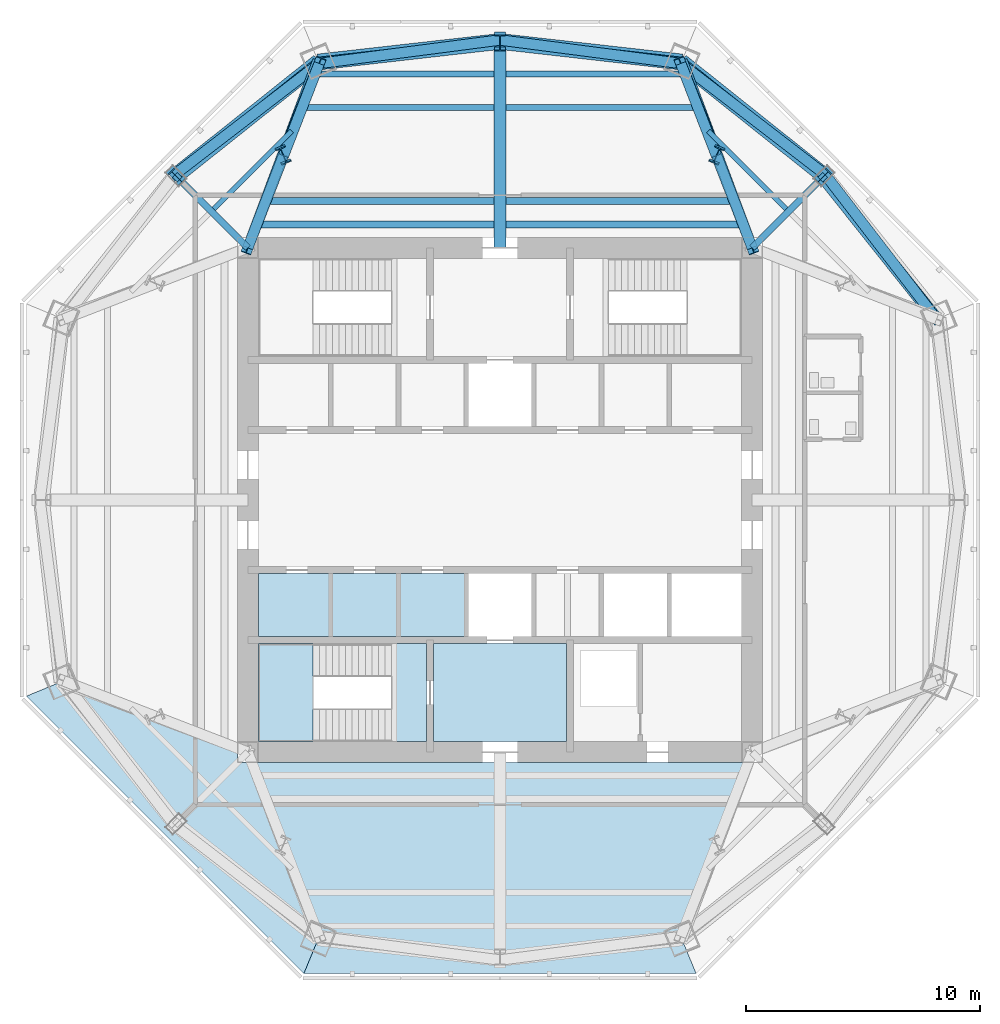
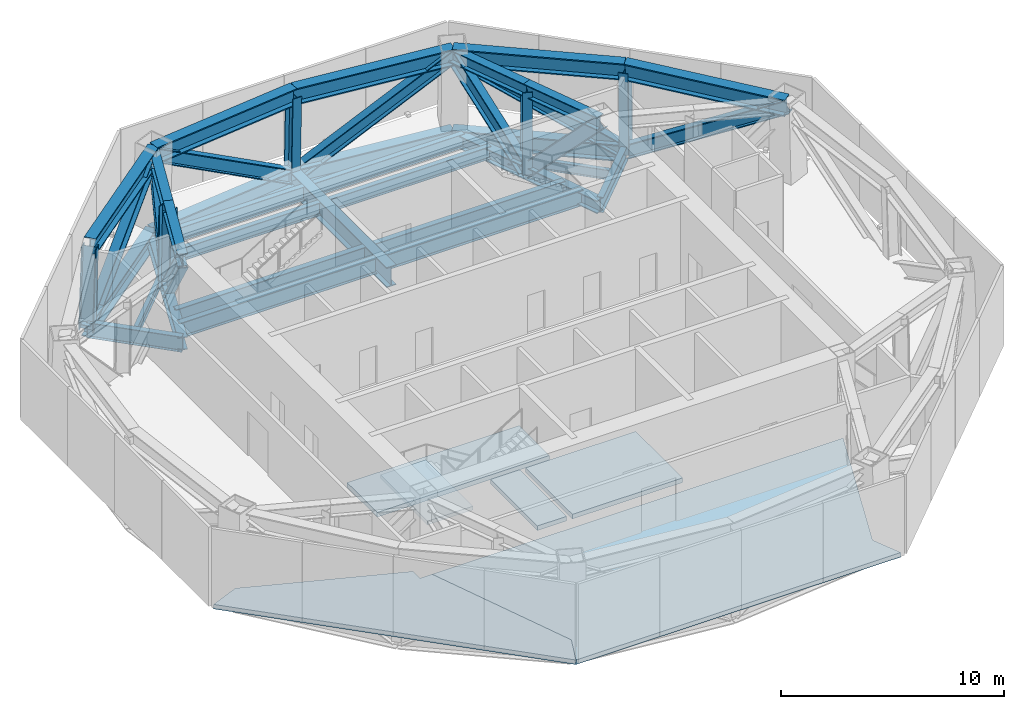
# One storey, part 3 of 9: 31 members, 13 beams, 6 slabs, 1 element without a shape of its own.
"""IFC4 building model written with IfcOpenShell, lengths in metres."""

from ifc_helpers import new_model, si_unit, direction, frame, origin, origin_2d, place, context, subcontext, project, spatial, polyline, i_section, outline, extrude, source, transform, mapped, material, layer, layer_set, material_profile, profile_set, type_object, type_shapes, element, aggregate, save


model = new_model("IFC4")

# Units and contexts
model_context = context("Model", 3, precision=1e-05, world=origin(), true_north=direction((0.0, 1.0)))
body_context = subcontext(model_context, "Body", "Model", "MODEL_VIEW")
ifc_project = project(units=[si_unit("LENGTHUNIT", "METRE"), si_unit("AREAUNIT", "SQUARE_METRE"), si_unit("VOLUMEUNIT", "CUBIC_METRE"), si_unit("PLANEANGLEUNIT", "RADIAN"), si_unit("MASSUNIT", "GRAM", prefix="KILO")], contexts=[model_context])

# Site, building, storey
site_placement = place(None, origin())
site = spatial("IfcSite", under=ifc_project, at=site_placement, CompositionType="ELEMENT")
building_placement = place(site_placement, origin())
building = spatial("IfcBuilding", under=site, at=building_placement, Name="Mashrafa Tower", CompositionType="ELEMENT")
storey_placement = place(building_placement, frame((0.0, 0.0, 266.300048828125)))
storey = spatial("IfcBuildingStorey", under=building, at=storey_placement, Name="L64", CompositionType="ELEMENT", Elevation=266.300048828125)

# Beams
ifc_material_1 = material(Name="Steel ASTM A572 Gr 50", Category="steel")
ifc_material_profile_1 = material_profile(ifc_material_1, i_section(OverallWidth=0.5, OverallDepth=1.10009765625, WebThickness=0.02490234375, FlangeThickness=0.050048828125, at=origin_2d()), Name="H1100X500X25X50")
ifc_profile_set_1 = profile_set([ifc_material_profile_1], Name="Steel ASTM A572 Gr 50")
beam_type_1 = type_object("IfcBeamType", Name="Beam H1100X500X25X50", PredefinedType="BEAM", material=ifc_profile_set_1)
beam_1_placement = place(storey_placement, frame((0.0, 10.800048828125, -0.800048828125), z_axis=(0.0, 1.0, 0.0), x_axis=(-1.0, 0.0, 0.0)))
element("IfcBeam", 1, at=beam_1_placement, inside=storey, type_object=beam_type_1, Name="Radial girder L64 045", PredefinedType="BEAM", context=body_context, shape_type="SweptSolid", body=[
    extrude(i_section(OverallWidth=0.5, OverallDepth=1.10009765625, WebThickness=0.02490234375, FlangeThickness=0.050048828125, at=origin_2d()), origin(), (0.0, 0.0, 1.0), 8.888427734375),
])
ifc_material_2 = material(Name="Steel ASTM A992", Category="steel")
ifc_material_profile_2 = material_profile(ifc_material_2, i_section(OverallWidth=0.209228515625, OverallDepth=0.533447265625, WebThickness=0.01025390625, FlangeThickness=0.015625, FilletRadius=0.012939453125, at=origin_2d()), Name="W21X62")
ifc_profile_set_2 = profile_set([ifc_material_profile_2], Name="Steel ASTM A992")
beam_type_2 = type_object("IfcBeamType", Name="Beam W21X62", PredefinedType="BEAM", material=ifc_profile_set_2)
for number, where, z_axis, x_axis, name in (
    (2, (-12.2578125, 12.46435546875, -0.516845703125), (0.707132658363, 0.707080903063, 0.0), (-0.707080903063, 0.707132658363, 0.0), "Floor beam L64 009"),
    (3, (8.922119140625, 15.7998046875, -0.516845703125), (0.707132658363, -0.707080903063, 0.0), (0.707080903063, 0.707132658363, 0.0), "Floor beam L64 027"),
):
    element("IfcBeam", number, at=place(storey_placement, frame(where, z_axis=z_axis, x_axis=x_axis)), inside=storey, type_object=beam_type_2, Name=name, PredefinedType="BEAM", context=body_context, shape_type="SweptSolid", body=[
        extrude(i_section(OverallWidth=0.209228515625, OverallDepth=0.533447265625, WebThickness=0.01025390625, FlangeThickness=0.015625, FilletRadius=0.012939453125, at=origin_2d()), origin(), (0.0, 0.0, 1.0), 4.71728515625),
    ])
ifc_material_3 = material(Name="Steel ASTM A992", Category="steel")
ifc_material_profile_3 = material_profile(ifc_material_3, i_section(OverallWidth=0.256591796875, OverallDepth=0.693359375, WebThickness=0.014404296875, FlangeThickness=0.023681640625, FilletRadius=0.01513671875, at=origin_2d()), Name="W27X114")
ifc_profile_set_3 = profile_set([ifc_material_profile_3], Name="Steel ASTM A992")
beam_type_3 = type_object("IfcBeamType", Name="Beam W27X114", PredefinedType="BEAM", material=ifc_profile_set_3)
for number, where, z_axis, x_axis, name in (
    (4, (-8.544677734375, 16.804931640625, -0.5966796875), (1.0, 0.0, 0.0), (0.0, 1.0, 0.0), "Floor beam L64 015"),
    (5, (0.25, 16.804931640625, -0.5966796875), (1.0, 0.0, 0.0), (0.0, 1.0, 0.0), "Floor beam L64 023"),
):
    element("IfcBeam", number, at=place(storey_placement, frame(where, z_axis=z_axis, x_axis=x_axis)), inside=storey, type_object=beam_type_3, Name=name, PredefinedType="BEAM", context=body_context, shape_type="SweptSolid", body=[
        extrude(i_section(OverallWidth=0.256591796875, OverallDepth=0.693359375, WebThickness=0.014404296875, FlangeThickness=0.023681640625, FilletRadius=0.01513671875, at=origin_2d()), origin(), (0.0, 0.0, 1.0), 8.294677734375),
    ])
ifc_material_4 = material(Name="Steel ASTM A992", Category="steel")
ifc_material_profile_4 = material_profile(ifc_material_4, i_section(OverallWidth=0.2666015625, OverallDepth=0.75439453125, WebThickness=0.01318359375, FlangeThickness=0.01708984375, FilletRadius=0.0166015625, at=origin_2d()), Name="W30X99")
ifc_profile_set_4 = profile_set([ifc_material_profile_4], Name="Steel ASTM A992")
beam_type_4 = type_object("IfcBeamType", Name="Beam W30X99", PredefinedType="BEAM", material=ifc_profile_set_4)
for number, where, z_axis, x_axis, name in (
    (6, (-8.003173828125, 18.24658203125, -0.627197265625), (1.0, 0.0, 0.0), (0.0, 1.0, 0.0), "Floor beam L64 016"),
    (7, (0.25, 18.24658203125, -0.627197265625), (1.0, 0.0, 0.0), (0.0, 1.0, 0.0), "Floor beam L64 024"),
):
    element("IfcBeam", number, at=place(storey_placement, frame(where, z_axis=z_axis, x_axis=x_axis)), inside=storey, type_object=beam_type_4, Name=name, PredefinedType="BEAM", context=body_context, shape_type="SweptSolid", body=[
        extrude(i_section(OverallWidth=0.2666015625, OverallDepth=0.75439453125, WebThickness=0.01318359375, FlangeThickness=0.01708984375, FilletRadius=0.0166015625, at=origin_2d()), origin(), (0.0, 0.0, 1.0), 7.753173828125),
    ])
ifc_material_5 = material(Name="Steel ASTM A992", Category="steel")
ifc_material_profile_5 = material_profile(ifc_material_5, i_section(OverallWidth=0.2919921875, OverallDepth=0.8408203125, WebThickness=0.0146484375, FlangeThickness=0.021728515625, FilletRadius=0.017333984375, at=origin_2d()), Name="W33X130")
ifc_profile_set_5 = profile_set([ifc_material_profile_5], Name="Steel ASTM A992")
beam_type_5 = type_object("IfcBeamType", Name="Beam W33X130", PredefinedType="BEAM", material=ifc_profile_set_5)
for number, where, z_axis, x_axis, name in (
    (8, (-10.800048828125, 10.800048828125, -0.67041015625), (-0.707106781187, 0.707106781187, 0.0), (-0.707106781187, -0.707106781187, 0.0), "Radial girder L64 043"),
    (9, (10.800048828125, 10.800048828125, -0.67041015625), (0.707106781187, 0.707106781187, 0.0), (-0.707106781187, 0.707106781187, 0.0), "Radial girder L64 048"),
):
    element("IfcBeam", number, at=place(storey_placement, frame(where, z_axis=z_axis, x_axis=x_axis)), inside=storey, type_object=beam_type_5, Name=name, PredefinedType="BEAM", context=body_context, shape_type="SweptSolid", body=[
        extrude(i_section(OverallWidth=0.2919921875, OverallDepth=0.8408203125, WebThickness=0.0146484375, FlangeThickness=0.021728515625, FilletRadius=0.017333984375, at=origin_2d()), origin(), (0.0, 0.0, 1.0), 4.4150390625),
    ])
ifc_material_6 = material(Name="Steel ASTM A992", Category="steel")
ifc_material_profile_6 = material_profile(ifc_material_6, i_section(OverallWidth=0.2919921875, OverallDepth=0.845703125, WebThickness=0.015380859375, FlangeThickness=0.0244140625, FilletRadius=0.017333984375, at=origin_2d()), Name="W33X141")
ifc_profile_set_6 = profile_set([ifc_material_profile_6], Name="Steel ASTM A992")
beam_type_6 = type_object("IfcBeamType", Name="Beam W33X141", PredefinedType="BEAM", material=ifc_profile_set_6)
beam_2_placement = place(storey_placement, frame((-10.423583984375, 11.802490234375, -0.6728515625), z_axis=(1.0, 0.0, 0.0), x_axis=(0.0, 1.0, 0.0)))
element("IfcBeam", 10, at=beam_2_placement, inside=storey, type_object=beam_type_6, Name="Floor beam L64 012", PredefinedType="BEAM", context=body_context, shape_type="SweptSolid", body=[
    extrude(i_section(OverallWidth=0.2919921875, OverallDepth=0.845703125, WebThickness=0.015380859375, FlangeThickness=0.0244140625, FilletRadius=0.017333984375, at=origin_2d()), origin(), (0.0, 0.0, 1.0), 10.173583984375),
])
beam_3_placement = place(storey_placement, frame((-10.047119140625, 12.804931640625, -0.6728515625), z_axis=(1.0, 0.0, 0.0), x_axis=(0.0, 1.0, 0.0)))
element("IfcBeam", 11, at=beam_3_placement, inside=storey, type_object=beam_type_6, Name="Floor beam L64 013", PredefinedType="BEAM", context=body_context, shape_type="SweptSolid", body=[
    extrude(i_section(OverallWidth=0.2919921875, OverallDepth=0.845703125, WebThickness=0.015380859375, FlangeThickness=0.0244140625, FilletRadius=0.017333984375, at=origin_2d()), origin(), (0.0, 0.0, 1.0), 9.797119140625),
])
beam_4_placement = place(storey_placement, frame((0.25, 11.802490234375, -0.6728515625), z_axis=(1.0, 0.0, 0.0), x_axis=(0.0, 1.0, 0.0)))
element("IfcBeam", 12, at=beam_4_placement, inside=storey, type_object=beam_type_6, Name="Floor beam L64 021", PredefinedType="BEAM", context=body_context, shape_type="SweptSolid", body=[
    extrude(i_section(OverallWidth=0.2919921875, OverallDepth=0.845703125, WebThickness=0.015380859375, FlangeThickness=0.0244140625, FilletRadius=0.017333984375, at=origin_2d()), origin(), (0.0, 0.0, 1.0), 10.173583984375),
])
beam_5_placement = place(storey_placement, frame((0.25, 12.804931640625, -0.6728515625), z_axis=(1.0, 0.0, 0.0), x_axis=(0.0, 1.0, 0.0)))
element("IfcBeam", 13, at=beam_5_placement, inside=storey, type_object=beam_type_6, Name="Floor beam L64 022", PredefinedType="BEAM", context=body_context, shape_type="SweptSolid", body=[
    extrude(i_section(OverallWidth=0.2919921875, OverallDepth=0.845703125, WebThickness=0.015380859375, FlangeThickness=0.0244140625, FilletRadius=0.017333984375, at=origin_2d()), origin(), (0.0, 0.0, 1.0), 9.797119140625),
])

# Members
ifc_material_7 = material(Name="Steel ASTM A572 Gr 50", Category="steel")
ifc_material_profile_7 = material_profile(ifc_material_7, i_section(OverallWidth=0.550048828125, OverallDepth=0.89990234375, WebThickness=0.034912109375, FlangeThickness=0.06005859375, at=origin_2d()), Name="H900X550X35X60")
ifc_profile_set_7 = profile_set([ifc_material_profile_7], Name="Steel ASTM A572 Gr 50")
member_type_1 = type_object("IfcMemberType", Name="Belt truss chord H900X550X35X60", PredefinedType="CHORD", material=ifc_profile_set_7)
shared_shape_1 = source(origin(), body_context, "Body", "SweptSolid", [
    extrude(i_section(OverallWidth=0.550048828125, OverallDepth=0.89990234375, WebThickness=0.034912109375, FlangeThickness=0.06005859375, at=origin_2d()), origin(), (0.0, 0.0, 1.0), 7.84619140625),
])
for number, where, z_axis, x_axis, name in (
    (14, (7.796875, 18.822998046875, -0.699951171875), (-0.993716789275, 0.111923825495, 0.0), (-0.111923825495, -0.993716789275, 0.0), "Belt truss bottom chord north face L64 right"),
    (15, (-7.796875, 18.822998046875, -0.699951171875), (0.993716789275, 0.111923825495, 0.0), (-0.111923825495, 0.993716789275, 0.0), "Belt truss bottom chord north face L64 left"),
):
    element("IfcMember", number, at=place(storey_placement, frame(where, z_axis=z_axis, x_axis=x_axis)), inside=storey, type_object=member_type_1, Name=name, PredefinedType="CHORD", context=body_context, shape_type="MappedRepresentation", body=[
        mapped(shared_shape_1, transform((0.0, 0.0, 0.0))),
    ])
shared_shape_2 = source(origin(), body_context, "Body", "SweptSolid", [
    extrude(i_section(OverallWidth=0.550048828125, OverallDepth=0.89990234375, WebThickness=0.034912109375, FlangeThickness=0.06005859375, at=origin_2d()), origin(), (0.0, 0.0, 1.0), 7.79296875),
])
for number, where, z_axis, x_axis, name in (
    (16, (7.743408203125, 18.6943359375, 3.849853515625), (-0.993630551017, 0.11268685853, 0.0), (-0.11268685853, -0.993630551017, 0.0), "Belt truss top chord north face L64 right"),
    (17, (-7.743408203125, 18.6943359375, 3.849853515625), (0.993630551017, 0.11268685853, 0.0), (-0.11268685853, 0.993630551017, 0.0), "Belt truss top chord north face L64 left"),
):
    element("IfcMember", number, at=place(storey_placement, frame(where, z_axis=z_axis, x_axis=x_axis)), inside=storey, type_object=member_type_1, Name=name, PredefinedType="CHORD", context=body_context, shape_type="MappedRepresentation", body=[
        mapped(shared_shape_2, transform((0.0, 0.0, 0.0))),
    ])
ifc_material_8 = material(Name="Steel ASTM A572 Gr 50", Category="steel")
ifc_material_profile_8 = material_profile(ifc_material_8, i_section(OverallWidth=0.449951171875, OverallDepth=0.699951171875, WebThickness=0.028076171875, FlangeThickness=0.044921875, at=origin_2d()), Name="H700X450X28X45")
ifc_profile_set_8 = profile_set([ifc_material_profile_8], Name="Steel ASTM A572 Gr 50")
member_type_2 = type_object("IfcMemberType", Name="Belt truss post H700X450X28X45", PredefinedType="POST", material=ifc_profile_set_8)
shared_shape_3 = source(origin(), body_context, "Body", "SweptSolid", [
    extrude(i_section(OverallWidth=0.449951171875, OverallDepth=0.699951171875, WebThickness=0.028076171875, FlangeThickness=0.044921875, at=origin_2d()), origin(), (0.0, 0.0, 1.0), 4.551513671875),
])
type_shapes(member_type_2, [shared_shape_3])
for number, where, z_axis, x_axis, name in (
    (18, (13.930908203125, 13.930908203125, -0.699951171875), (-0.020007011455, -0.020007011455, 0.999599639348), (0.707106781187, -0.707106781187, 0.0), "Belt truss post north-east face L64"),
    (19, (0.0, 19.701171875, -0.699951171875), (0.0, -0.02826730043, 0.999600400023), (1.0, 0.0, 0.0), "Belt truss post north face L64"),
    (20, (-13.930908203125, 13.930908203125, -0.699951171875), (0.020007011455, -0.020007011455, 0.999599639348), (0.707106781187, 0.707106781187, 0.0), "Belt truss post north-west face L64"),
):
    element("IfcMember", number, at=place(storey_placement, frame(where, z_axis=z_axis, x_axis=x_axis)), inside=storey, type_object=member_type_2, Name=name, PredefinedType="POST", context=body_context, shape_type="MappedRepresentation", body=[
        mapped(shared_shape_3, transform((0.0, 0.0, 0.0))),
    ])
ifc_material_9 = material(Name="Steel ASTM A572 Gr 50", Category="steel")
ifc_material_profile_9 = material_profile(ifc_material_9, i_section(OverallWidth=0.449951171875, OverallDepth=0.699951171875, WebThickness=0.028076171875, FlangeThickness=0.044921875, at=origin_2d()), Name="H700X450X28X45")
ifc_profile_set_9 = profile_set([ifc_material_profile_9], Name="Steel ASTM A572 Gr 50")
member_type_3 = type_object("IfcMemberType", Name="Belt truss diagonal H700X450X28X45", PredefinedType="BRACE", material=ifc_profile_set_9)
shared_shape_4 = source(origin(), body_context, "Body", "SweptSolid", [
    extrude(i_section(OverallWidth=0.449951171875, OverallDepth=0.699951171875, WebThickness=0.028076171875, FlangeThickness=0.044921875, at=origin_2d()), origin(), (0.0, 0.0, 1.0), 9.037353515625),
])
for number, where, z_axis, x_axis, name in (
    (21, (0.0, 19.701171875, -0.699951171875), (0.856817015897, -0.111407553475, 0.503441117012), (0.128939519585, 0.991652459428, 0.0), "Belt truss diagonal north face L64 right"),
    (22, (0.0, 19.701171875, -0.699951171875), (-0.856817015897, -0.111407553475, 0.503441117012), (0.128939519585, -0.991652459428, 0.0), "Belt truss diagonal north face L64 left"),
):
    element("IfcMember", number, at=place(storey_placement, frame(where, z_axis=z_axis, x_axis=x_axis)), inside=storey, type_object=member_type_3, Name=name, PredefinedType="BRACE", context=body_context, shape_type="MappedRepresentation", body=[
        mapped(shared_shape_4, transform((0.0, 0.0, 0.0))),
    ])
shared_shape_5 = source(origin(), body_context, "Body", "SweptSolid", [
    extrude(i_section(OverallWidth=0.550048828125, OverallDepth=0.89990234375, WebThickness=0.034912109375, FlangeThickness=0.06005859375, at=origin_2d()), origin(), (0.0, 0.0, 1.0), 7.845947265625),
])
for number, where, z_axis, x_axis, name in (
    (23, (7.796875, 18.822998046875, -0.699951171875), (0.781809016115, -0.623517972733, 0.0), (0.623517972733, 0.781809016115, 0.0), "Belt truss bottom chord north-east face L64 left"),
    (24, (-7.796875, 18.822998046875, -0.699951171875), (-0.781809016115, -0.623517972733, 0.0), (0.623517972733, -0.781809016115, 0.0), "Belt truss bottom chord north-west face L64 right"),
):
    element("IfcMember", number, at=place(storey_placement, frame(where, z_axis=z_axis, x_axis=x_axis)), inside=storey, type_object=member_type_1, Name=name, PredefinedType="CHORD", context=body_context, shape_type="MappedRepresentation", body=[
        mapped(shared_shape_5, transform((0.0, 0.0, 0.0))),
    ])
shared_shape_6 = source(origin(), body_context, "Body", "SweptSolid", [
    extrude(i_section(OverallWidth=0.550048828125, OverallDepth=0.89990234375, WebThickness=0.034912109375, FlangeThickness=0.06005859375, at=origin_2d()), origin(), (0.0, 0.0, 1.0), 7.793212890625),
])
type_shapes(member_type_1, [shared_shape_1, shared_shape_2, shared_shape_5, shared_shape_6])
for number, where, z_axis, x_axis, name in (
    (25, (18.6943359375, 7.743408203125, 3.849853515625), (-0.622920746313, 0.782284950522, 0.0), (-0.782284950522, -0.622920746313, 0.0), "Belt truss top chord north-east face L64 right"),
    (26, (7.743408203125, 18.6943359375, 3.849853515625), (0.782284950522, -0.622920746313, 0.0), (0.622920746313, 0.782284950522, 0.0), "Belt truss top chord north-east face L64 left"),
    (27, (-7.743408203125, 18.6943359375, 3.849853515625), (-0.782284950522, -0.622920746313, 0.0), (0.622920746313, -0.782284950522, 0.0), "Belt truss top chord north-west face L64 right"),
):
    element("IfcMember", number, at=place(storey_placement, frame(where, z_axis=z_axis, x_axis=x_axis)), inside=storey, type_object=member_type_1, Name=name, PredefinedType="CHORD", context=body_context, shape_type="MappedRepresentation", body=[
        mapped(shared_shape_6, transform((0.0, 0.0, 0.0))),
    ])
shared_shape_7 = source(origin(), body_context, "Body", "SweptSolid", [
    extrude(i_section(OverallWidth=0.449951171875, OverallDepth=0.699951171875, WebThickness=0.028076171875, FlangeThickness=0.044921875, at=origin_2d()), origin(), (0.0, 0.0, 1.0), 9.03759765625),
])
type_shapes(member_type_3, [shared_shape_4, shared_shape_7])
for number, where, z_axis, x_axis, name in (
    (28, (13.930908203125, 13.930908203125, -0.699951171875), (0.527074523053, -0.684648491223, 0.503437077116), (0.792387987092, 0.610017440662, 0.0), "Belt truss diagonal north-east face L64 right"),
    (29, (13.930908203125, 13.930908203125, -0.699951171875), (-0.684648491223, 0.527074523053, 0.503437077116), (-0.610017440662, -0.792387987092, 0.0), "Belt truss diagonal north-east face L64 left"),
    (30, (-13.930908203125, 13.930908203125, -0.699951171875), (0.684648491223, 0.527074523053, 0.503437077116), (-0.610017440662, 0.792387987092, 0.0), "Belt truss diagonal north-west face L64 right"),
):
    element("IfcMember", number, at=place(storey_placement, frame(where, z_axis=z_axis, x_axis=x_axis)), inside=storey, type_object=member_type_3, Name=name, PredefinedType="BRACE", context=body_context, shape_type="MappedRepresentation", body=[
        mapped(shared_shape_7, transform((0.0, 0.0, 0.0))),
    ])
ifc_material_10 = material(Name="Steel ASTM A572 Gr 50", Category="steel")
ifc_material_profile_10 = material_profile(ifc_material_10, i_section(OverallWidth=0.449951171875, OverallDepth=0.699951171875, WebThickness=0.028076171875, FlangeThickness=0.044921875, at=origin_2d()), Name="H700X450X28X45")
ifc_profile_set_10 = profile_set([ifc_material_profile_10], Name="Steel ASTM A572 Gr 50")
member_type_4 = type_object("IfcMemberType", Name="Outrigger chord H700X450X28X45", PredefinedType="CHORD", material=ifc_profile_set_10)
shared_shape_8 = source(origin(), body_context, "Body", "SweptSolid", [
    extrude(i_section(OverallWidth=0.449951171875, OverallDepth=0.699951171875, WebThickness=0.028076171875, FlangeThickness=0.044921875, at=origin_2d()), origin(), (0.0, 0.0, 1.0), 4.283447265625),
])
for number, where, z_axis, x_axis, name in (
    (31, (10.800048828125, 10.800048828125, -0.699951171875), (-0.350592448272, 0.936528128363, 0.0), (-0.936528128363, -0.350592448272, 0.0), "Outrigger bottom chord MC2 L64 core end"),
    (32, (-10.800048828125, 10.800048828125, -0.699951171875), (0.350592448272, 0.936528128363, 0.0), (-0.936528128363, 0.350592448272, 0.0), "Outrigger bottom chord MC3 L64 core end"),
):
    element("IfcMember", number, at=place(storey_placement, frame(where, z_axis=z_axis, x_axis=x_axis)), inside=storey, type_object=member_type_4, Name=name, PredefinedType="CHORD", context=body_context, shape_type="MappedRepresentation", body=[
        mapped(shared_shape_8, transform((0.0, 0.0, 0.0))),
    ])
shared_shape_9 = source(origin(), body_context, "Body", "SweptSolid", [
    extrude(i_section(OverallWidth=0.449951171875, OverallDepth=0.699951171875, WebThickness=0.028076171875, FlangeThickness=0.044921875, at=origin_2d()), origin(), (0.0, 0.0, 1.0), 4.283203125),
])
for number, where, z_axis, x_axis, name in (
    (33, (9.29833984375, 14.8115234375, -0.699951171875), (-0.350542455007, 0.936546841988, 0.0), (-0.936546841988, -0.350542455007, 0.0), "Outrigger bottom chord MC2 L64 column end"),
    (34, (-9.29833984375, 14.8115234375, -0.699951171875), (0.350542455007, 0.936546841988, 0.0), (-0.936546841988, 0.350542455007, 0.0), "Outrigger bottom chord MC3 L64 column end"),
):
    element("IfcMember", number, at=place(storey_placement, frame(where, z_axis=z_axis, x_axis=x_axis)), inside=storey, type_object=member_type_4, Name=name, PredefinedType="CHORD", context=body_context, shape_type="MappedRepresentation", body=[
        mapped(shared_shape_9, transform((0.0, 0.0, 0.0))),
    ])
shared_shape_10 = source(origin(), body_context, "Body", "SweptSolid", [
    extrude(i_section(OverallWidth=0.449951171875, OverallDepth=0.699951171875, WebThickness=0.028076171875, FlangeThickness=0.044921875, at=origin_2d()), origin(), (0.0, 0.0, 1.0), 4.232666015625),
])
for number, where, z_axis, x_axis, name in (
    (35, (10.800048828125, 10.800048828125, 3.849853515625), (-0.36108472047, 0.93253301531, 0.0), (-0.93253301531, -0.36108472047, 0.0), "Outrigger top chord MC2 L64 core end"),
    (36, (-10.800048828125, 10.800048828125, 3.849853515625), (0.36108472047, 0.93253301531, 0.0), (-0.93253301531, 0.36108472047, 0.0), "Outrigger top chord MC3 L64 core end"),
):
    element("IfcMember", number, at=place(storey_placement, frame(where, z_axis=z_axis, x_axis=x_axis)), inside=storey, type_object=member_type_4, Name=name, PredefinedType="CHORD", context=body_context, shape_type="MappedRepresentation", body=[
        mapped(shared_shape_10, transform((0.0, 0.0, 0.0))),
    ])
shared_shape_11 = source(origin(), body_context, "Body", "SweptSolid", [
    extrude(i_section(OverallWidth=0.449951171875, OverallDepth=0.699951171875, WebThickness=0.028076171875, FlangeThickness=0.044921875, at=origin_2d()), origin(), (0.0, 0.0, 1.0), 4.23291015625),
])
type_shapes(member_type_4, [shared_shape_8, shared_shape_9, shared_shape_10, shared_shape_11])
for number, where, z_axis, x_axis, name in (
    (37, (9.271728515625, 14.7470703125, 3.849853515625), (-0.361065298803, 0.932540535312, 0.0), (-0.932540535312, -0.361065298803, 0.0), "Outrigger top chord MC2 L64 column end"),
    (38, (-9.271728515625, 14.7470703125, 3.849853515625), (0.361065298803, 0.932540535312, 0.0), (-0.932540535312, 0.361065298803, 0.0), "Outrigger top chord MC3 L64 column end"),
):
    element("IfcMember", number, at=place(storey_placement, frame(where, z_axis=z_axis, x_axis=x_axis)), inside=storey, type_object=member_type_4, Name=name, PredefinedType="CHORD", context=body_context, shape_type="MappedRepresentation", body=[
        mapped(shared_shape_11, transform((0.0, 0.0, 0.0))),
    ])
ifc_material_11 = material(Name="Steel ASTM A572 Gr 50", Category="steel")
ifc_material_profile_11 = material_profile(ifc_material_11, i_section(OverallWidth=0.449951171875, OverallDepth=0.699951171875, WebThickness=0.028076171875, FlangeThickness=0.044921875, at=origin_2d()), Name="H700X450X28X45")
ifc_profile_set_11 = profile_set([ifc_material_profile_11], Name="Steel ASTM A572 Gr 50")
member_type_5 = type_object("IfcMemberType", Name="Outrigger post H700X450X28X45", PredefinedType="POST", material=ifc_profile_set_11)
shared_shape_12 = source(origin(), body_context, "Body", "SweptSolid", [
    extrude(i_section(OverallWidth=0.449951171875, OverallDepth=0.699951171875, WebThickness=0.028076171875, FlangeThickness=0.044921875, at=origin_2d()), origin(), (0.0, 0.0, 1.0), 4.55029296875),
])
type_shapes(member_type_5, [shared_shape_12])
for number, where, z_axis, x_axis, name in (
    (39, (9.29833984375, 14.8115234375, -0.699951171875), (-0.005848207814, -0.014164466631, 0.999882576281), (0.924315129639, -0.381630110343, 0.0), "Outrigger post MC2 L64"),
    (40, (-9.29833984375, 14.8115234375, -0.699951171875), (0.005848207814, -0.014164466631, 0.999882576281), (0.924315129639, 0.381630110343, 0.0), "Outrigger post MC3 L64"),
):
    element("IfcMember", number, at=place(storey_placement, frame(where, z_axis=z_axis, x_axis=x_axis)), inside=storey, type_object=member_type_5, Name=name, PredefinedType="POST", context=body_context, shape_type="MappedRepresentation", body=[
        mapped(shared_shape_12, transform((0.0, 0.0, 0.0))),
    ])
ifc_material_12 = material(Name="Steel ASTM A572 Gr 50", Category="steel")
ifc_material_profile_12 = material_profile(ifc_material_12, i_section(OverallWidth=0.449951171875, OverallDepth=0.699951171875, WebThickness=0.028076171875, FlangeThickness=0.044921875, at=origin_2d()), Name="H700X450X28X45")
ifc_profile_set_12 = profile_set([ifc_material_profile_12], Name="Steel ASTM A572 Gr 50")
member_type_6 = type_object("IfcMemberType", Name="Outrigger diagonal H700X450X28X45", PredefinedType="BRACE", material=ifc_profile_set_12)
shared_shape_13 = source(origin(), body_context, "Body", "SweptSolid", [
    extrude(i_section(OverallWidth=0.449951171875, OverallDepth=0.699951171875, WebThickness=0.028076171875, FlangeThickness=0.044921875, at=origin_2d()), origin(), (0.0, 0.0, 1.0), 6.248779296875),
])
for number, where, z_axis, x_axis, name in (
    (41, (9.29833984375, 14.8115234375, -0.699951171875), (0.240318718244, -0.641956894726, 0.72810593939), (0.936528128363, 0.350592448272, 0.0), "Outrigger diagonal MC2 L64 core end"),
    (42, (-9.29833984375, 14.8115234375, -0.699951171875), (-0.240318718244, -0.641956894726, 0.72810593939), (0.936528128363, -0.350592448272, 0.0), "Outrigger diagonal MC3 L64 core end"),
):
    element("IfcMember", number, at=place(storey_placement, frame(where, z_axis=z_axis, x_axis=x_axis)), inside=storey, type_object=member_type_6, Name=name, PredefinedType="BRACE", context=body_context, shape_type="MappedRepresentation", body=[
        mapped(shared_shape_13, transform((0.0, 0.0, 0.0))),
    ])
shared_shape_14 = source(origin(), body_context, "Body", "SweptSolid", [
    extrude(i_section(OverallWidth=0.449951171875, OverallDepth=0.699951171875, WebThickness=0.028076171875, FlangeThickness=0.044921875, at=origin_2d()), origin(), (0.0, 0.0, 1.0), 6.18017578125),
])
type_shapes(member_type_6, [shared_shape_13, shared_shape_14])
for number, where, z_axis, x_axis, name in (
    (43, (9.29833984375, 14.8115234375, -0.699951171875), (-0.251599261861, 0.628267335631, 0.736191528347), (-0.928327670284, -0.37176301132, 0.0), "Outrigger diagonal MC2 L64 column end"),
    (44, (-9.29833984375, 14.8115234375, -0.699951171875), (0.251599261861, 0.628267335631, 0.736191528347), (-0.928327670284, 0.37176301132, 0.0), "Outrigger diagonal MC3 L64 column end"),
):
    element("IfcMember", number, at=place(storey_placement, frame(where, z_axis=z_axis, x_axis=x_axis)), inside=storey, type_object=member_type_6, Name=name, PredefinedType="BRACE", context=body_context, shape_type="MappedRepresentation", body=[
        mapped(shared_shape_14, transform((0.0, 0.0, 0.0))),
    ])

# Slabs
ifc_material_13 = material(Name="Concrete C35/45", Category="concrete")
ifc_layer_1 = layer(ifc_material_13, 0.25)
ifc_layer_set_1 = layer_set([ifc_layer_1], Name="Floor slab 250")
slab_type_1 = type_object("IfcSlabType", Name="Floor slab 250", PredefinedType="FLOOR", material=ifc_layer_set_1)
slab_1_placement = place(storey_placement, frame((0.0, 0.0, -0.25)))
element("IfcSlab", 45, at=slab_1_placement, inside=storey, type_object=slab_type_1, Name="Floor slab L64 south-west bay", PredefinedType="FLOOR", context=body_context, shape_type="SweptSolid", body=[
    extrude(outline(polyline([(-20.281494140625, -8.40087890625), (-18.810302734375, -7.79150390625), (-11.25, -10.631103515625), (-11.25, -11.25), (-10.631103515625, -11.25), (-7.79150390625, -18.810302734375), (-8.40087890625, -20.281494140625), (-20.281494140625, -8.40087890625)])), origin(), (0.0, 0.0, 1.0), 0.25),
])
slab_2_placement = place(storey_placement, frame((0.0, 0.0, -0.25)))
element("IfcSlab", 46, at=slab_2_placement, inside=storey, type_object=slab_type_1, Name="Floor slab L64 south bay", PredefinedType="FLOOR", context=body_context, shape_type="SweptSolid", body=[
    extrude(outline(polyline([(-8.40087890625, -20.281494140625), (-8.40087890625, -20.281494140625), (-7.79150390625, -18.810302734375), (-10.631103515625, -11.25), (10.631103515625, -11.25), (7.79150390625, -18.810302734375), (8.40087890625, -20.281494140625), (8.40087890625, -20.281494140625), (-8.40087890625, -20.281494140625)])), origin(), (0.0, 0.0, 1.0), 0.25),
])
slab_3_placement = place(storey_placement, frame((0.0, 0.0, -0.25)))
element("IfcSlab", 47, at=slab_3_placement, inside=storey, type_object=slab_type_1, Name="Core floor lift cell L64", PredefinedType="FLOOR", context=body_context, shape_type="SweptSolid", body=[
    extrude(outline(polyline([(-1.449951171875, -3.14990234375), (-1.449951171875, -5.85009765625), (-10.35009765625, -5.85009765625), (-10.35009765625, -3.14990234375), (-1.449951171875, -3.14990234375)])), origin(), (0.0, 0.0, 1.0), 0.25),
])
slab_4_placement = place(storey_placement, frame((0.0, 0.0, -0.25)))
element("IfcSlab", 48, at=slab_4_placement, inside=storey, type_object=slab_type_1, Name="Core floor fire-fighting lobby south L64", PredefinedType="FLOOR", context=body_context, shape_type="SweptSolid", body=[
    extrude(outline(polyline([(2.85009765625, -6.14990234375), (2.85009765625, -10.35009765625), (-2.85009765625, -10.35009765625), (-2.85009765625, -6.14990234375), (2.85009765625, -6.14990234375)])), origin(), (0.0, 0.0, 1.0), 0.25),
])

# Stair, slabs
ifc_material_14 = material(Name="Exit stair 1400")
stair_type = type_object("IfcStairType", Name="Exit stair 1400", PredefinedType="HALF_TURN_STAIR", material=ifc_material_14)
stair_placement = place(storey_placement, origin())
stair = element("IfcStair", 49, at=stair_placement, inside=storey, type_object=stair_type, Name="Stair S3 L64", PredefinedType="HALF_TURN_STAIR")
ifc_material_15 = material(Name="Concrete C32/40", Category="concrete")
ifc_layer_2 = layer(ifc_material_15, 0.199951171875)
ifc_layer_set_2 = layer_set([ifc_layer_2], Name="Stair landing 200")
slab_type_2 = type_object("IfcSlabType", Name="Stair landing 200", PredefinedType="LANDING", material=ifc_layer_set_2)
slab_5_placement = place(storey_placement, frame((0.0, 0.0, 2.050048828125)))
slab_5 = element("IfcSlab", 50, at=slab_5_placement, type_object=slab_type_2, Name="S3 landing 2", PredefinedType="LANDING", context=body_context, shape_type="SweptSolid", body=[
    extrude(outline(polyline([(-10.35009765625, -10.35009765625), (-8.0, -10.35009765625), (-8.0, -6.14990234375), (-10.35009765625, -6.14990234375), (-10.35009765625, -10.35009765625)])), origin(), (0.0, 0.0, 1.0), 0.199951171875),
])
ifc_material_16 = material(Name="Concrete C32/40", Category="concrete")
ifc_layer_3 = layer(ifc_material_16, 0.25)
ifc_layer_set_3 = layer_set([ifc_layer_3], Name="Stair landing 250")
slab_type_3 = type_object("IfcSlabType", Name="Stair landing 250", PredefinedType="LANDING", material=ifc_layer_set_3)
slab_6_placement = place(storey_placement, frame((0.0, 0.0, -0.25)))
slab_6 = element("IfcSlab", 51, at=slab_6_placement, type_object=slab_type_3, Name="S3 landing 1", PredefinedType="LANDING", context=body_context, shape_type="SweptSolid", body=[
    extrude(outline(polyline([(-4.659912109375, -10.35009765625), (-3.14990234375, -10.35009765625), (-3.14990234375, -6.14990234375), (-4.659912109375, -6.14990234375), (-4.659912109375, -10.35009765625)])), origin(), (0.0, 0.0, 1.0), 0.25),
])
aggregate(stair, [slab_6, slab_5])

save(model, "model.ifc")
